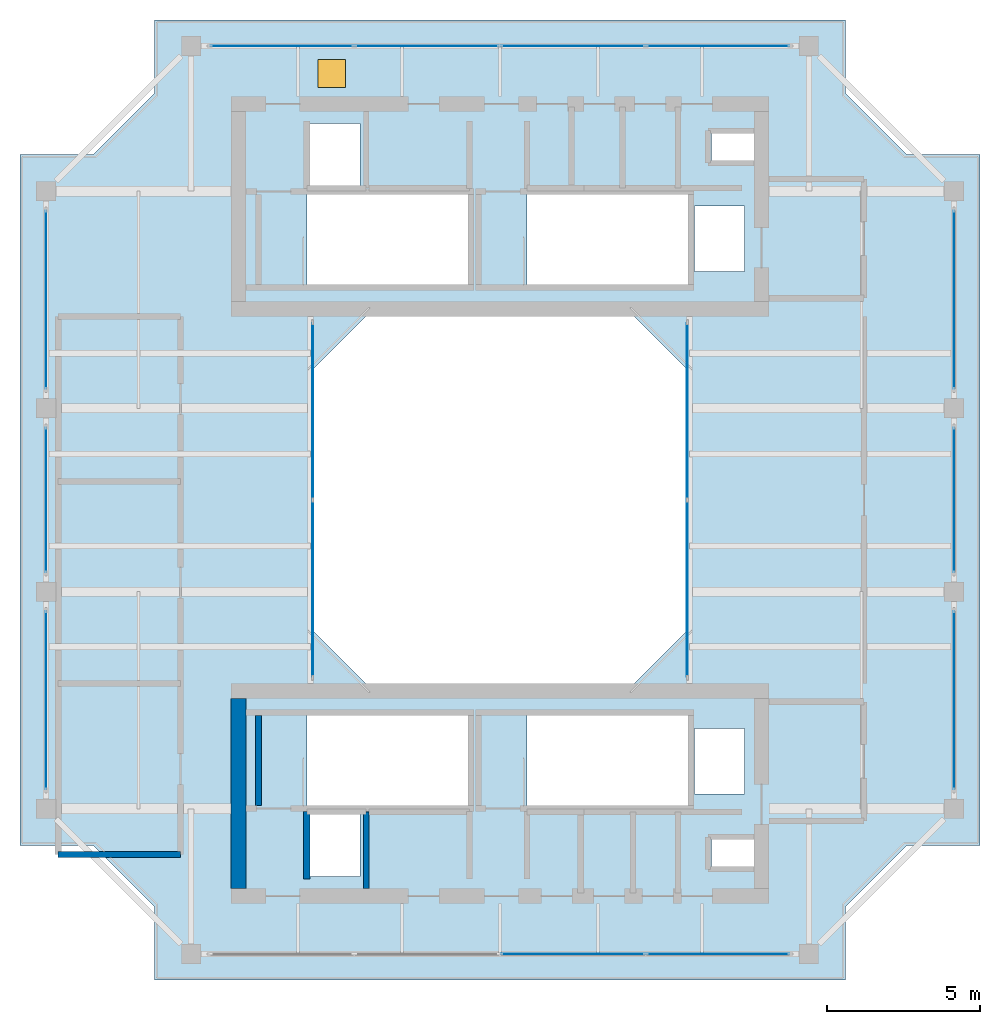
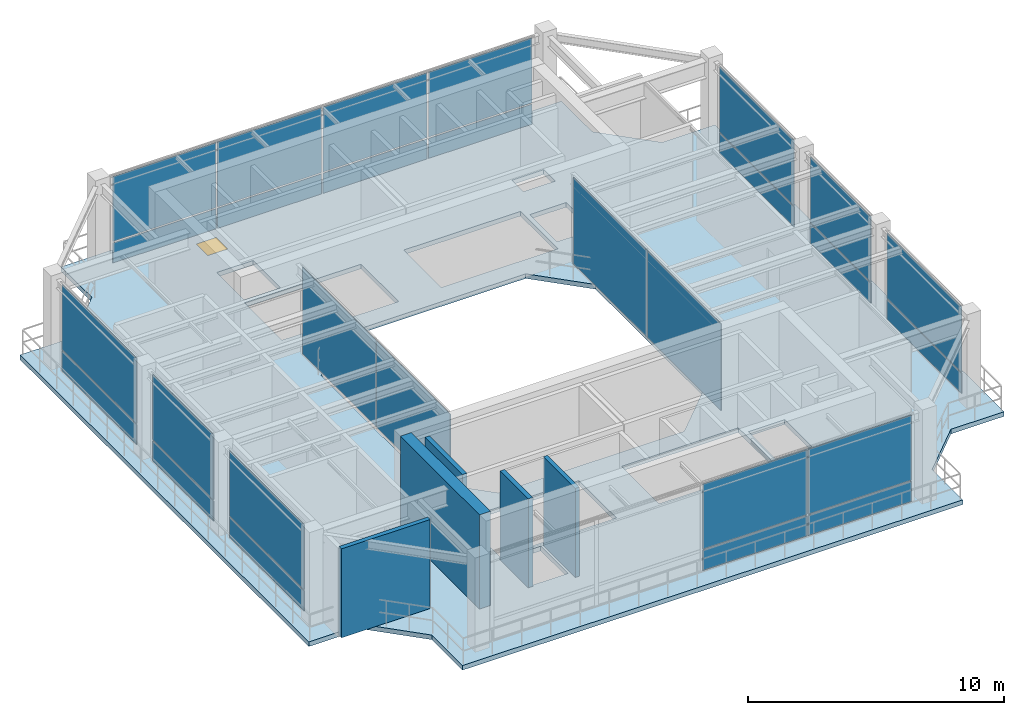
# One storey, part 6 of 9: 28 plates, 5 walls, 1 door, 1 slab, 1 opening, 10 elements without a shape of their own.
"""IFC4 building model written with IfcOpenShell, lengths in metres."""

import ifcopenshell
import ifcopenshell.guid

model = None  # the IFC model being written
_history = None  # IfcOwnerHistory: only IFC2X3 demands one
_inside = {}  # id of a spatial element -> (the spatial element, [elements in it])
_under = {}  # id of a project, library or spatial element -> (it, [spatial elements below it])
_declared = {}  # id of a project -> (the project, [libraries it declares])
_typed = {}  # id of a type object -> (the type object, [elements of that type])
_made_of = {}  # id of a material, layer set ... -> (it, [elements and type objects made of it])


def new_model(schema):
    """Start an empty IFC model of exactly this schema.

    Asked for "IFC4X3", IfcOpenShell would pick the latest addendum, in which some entities
    have other attributes; the version numbers below select the first issue.
    IFC2X3 requires an IfcOwnerHistory on every rooted entity: one is made here for all.
    """
    global model, _history
    if schema == "IFC4X3":
        model = ifcopenshell.file(schema_version=(4, 3, 0, 0))
    else:
        model = ifcopenshell.file(schema=schema)
    _inside.clear()
    _under.clear()
    _declared.clear()
    _typed.clear()
    _made_of.clear()
    _history = None
    if model.schema == "IFC2X3":
        org = make("IfcOrganization", Name="unknown")
        user = make(
            "IfcPersonAndOrganization",
            ThePerson=make("IfcPerson", FamilyName="unknown"),
            TheOrganization=org,
        )
        app = make(
            "IfcApplication",
            ApplicationDeveloper=org,
            Version="unknown",
            ApplicationFullName="unknown",
            ApplicationIdentifier="unknown",
        )
        _history = make(
            "IfcOwnerHistory",
            OwningUser=user,
            OwningApplication=app,
            ChangeAction="ADDED",
            CreationDate=0,
        )
    return model


def make(cls, **values):
    """One entity of the class cls with the attributes given. An attribute that is None is left unset."""
    return model.create_entity(
        cls, **{name: value for name, value in values.items() if value is not None}
    )


def rooted(cls, **values):
    """An entity with a GlobalId (a new one), such as an element, a storey or a relation."""
    return make(cls, GlobalId=ifcopenshell.guid.new(), OwnerHistory=_history, **values)


def si_unit(unit_type, name, prefix=None):
    """IfcSIUnit, for example si_unit("LENGTHUNIT", "METRE", prefix="MILLI")."""
    return make("IfcSIUnit", UnitType=unit_type, Prefix=prefix, Name=name)


def assignment(units):
    """IfcUnitAssignment: the units of a project."""
    return None if units is None else make("IfcUnitAssignment", Units=units)


def point(xyz):
    """IfcCartesianPoint."""
    return None if xyz is None else make("IfcCartesianPoint", Coordinates=xyz)


def direction(xyz):
    """IfcDirection."""
    return None if xyz is None else make("IfcDirection", DirectionRatios=xyz)


def frame(location, z_axis=None, x_axis=None):
    """IfcAxis2Placement3D, a coordinate frame: its origin and axes. An axis left out is left unset."""
    return make(
        "IfcAxis2Placement3D",
        Location=point(location),
        Axis=direction(z_axis),
        RefDirection=direction(x_axis),
    )


def frame_2d(location, x_axis=None):
    """IfcAxis2Placement2D, a coordinate frame in the plane: its origin and x axis."""
    return make(
        "IfcAxis2Placement2D", Location=point(location), RefDirection=direction(x_axis)
    )


def origin():
    """The frame at (0, 0, 0) with its axes left unset."""
    return frame((0.0, 0.0, 0.0))


def origin_2d():
    """The frame at (0, 0) in the plane with its x axis left unset."""
    return frame_2d((0.0, 0.0))


def place(relative_to, where):
    """IfcLocalPlacement: puts the frame where relative to a parent placement (None: the world)."""
    return make(
        "IfcLocalPlacement", PlacementRelTo=relative_to, RelativePlacement=where
    )


def context(
    kind, dimensions, precision=None, world=None, true_north=None, identifier=None
):
    """IfcGeometricRepresentationContext, for example the 3D "Model" context."""
    return make(
        "IfcGeometricRepresentationContext",
        ContextIdentifier=identifier,
        ContextType=kind,
        CoordinateSpaceDimension=dimensions,
        Precision=precision,
        WorldCoordinateSystem=world,
        TrueNorth=true_north,
    )


def subcontext(parent, identifier, kind, view, scale=None):
    """IfcGeometricRepresentationSubContext, for example "Body" below "Model"."""
    return make(
        "IfcGeometricRepresentationSubContext",
        ContextIdentifier=identifier,
        ContextType=kind,
        ParentContext=parent,
        TargetScale=scale,
        TargetView=view,
    )


def project(units=None, contexts=None):
    """IfcProject with its units and contexts."""
    return rooted(
        "IfcProject",
        Name="project",
        RepresentationContexts=contexts,
        UnitsInContext=assignment(units),
    )


def spatial(cls, under=None, at=None, **own):
    """A site, building, storey or space (cls), placed at a placement, below another one or the project."""
    s = rooted(cls, ObjectPlacement=at, **own)
    if under is not None:
        _under.setdefault(under.id(), (under, []))[1].append(s)
    return s


def polyline(points):
    """IfcPolyline through the points."""
    return make("IfcPolyline", Points=[point(p) for p in points])


def profile(cls, at=None, kind="AREA", **sizes):
    """A parametric profile (cls). Its sizes go by their IFC names, for example OverallWidth=200.0."""
    return make(cls, ProfileType=kind, Position=at, **sizes)


def rectangle(**sizes):
    """IfcRectangleProfileDef."""
    return profile("IfcRectangleProfileDef", **sizes)


def outline(outer, holes=None, kind="AREA"):
    """IfcArbitraryClosedProfileDef: a profile drawn as a closed curve; with holes, ...WithVoids."""
    if holes is None:
        return make("IfcArbitraryClosedProfileDef", ProfileType=kind, OuterCurve=outer)
    return make(
        "IfcArbitraryProfileDefWithVoids",
        ProfileType=kind,
        OuterCurve=outer,
        InnerCurves=holes,
    )


def extrude(swept, where, along, depth):
    """IfcExtrudedAreaSolid: the profile swept, set in the frame where, extruded along a direction by depth."""
    return make(
        "IfcExtrudedAreaSolid",
        SweptArea=swept,
        Position=where,
        ExtrudedDirection=direction(along),
        Depth=depth,
    )


def shape(context_of_items, identifier, shape_type, items):
    """IfcShapeRepresentation: the items that make up one representation, for example the "Body"."""
    return make(
        "IfcShapeRepresentation",
        ContextOfItems=context_of_items,
        RepresentationIdentifier=identifier,
        RepresentationType=shape_type,
        Items=items,
    )


def source(mapping_origin, context_of_items, identifier, shape_type, items):
    """IfcRepresentationMap: a shape defined once, which mapped items show again and again."""
    return make(
        "IfcRepresentationMap",
        MappingOrigin=mapping_origin,
        MappedRepresentation=shape(context_of_items, identifier, shape_type, items),
    )


def transform(
    local_origin,
    x_axis=None,
    y_axis=None,
    z_axis=None,
    scale=None,
    scale2=None,
    scale3=None,
    uniform=True,
):
    """IfcCartesianTransformationOperator3D, or its non-uniform kind. x_axis, y_axis, z_axis: its Axis1, 2, 3."""
    if uniform:
        return make(
            "IfcCartesianTransformationOperator3D",
            Axis1=direction(x_axis),
            Axis2=direction(y_axis),
            LocalOrigin=point(local_origin),
            Scale=scale,
            Axis3=direction(z_axis),
        )
    return make(
        "IfcCartesianTransformationOperator3DnonUniform",
        Axis1=direction(x_axis),
        Axis2=direction(y_axis),
        LocalOrigin=point(local_origin),
        Scale=scale,
        Axis3=direction(z_axis),
        Scale2=scale2,
        Scale3=scale3,
    )


def mapped(mapping_source, mapping_target):
    """IfcMappedItem: shows the shape of a source again, moved by a transform."""
    return make(
        "IfcMappedItem", MappingSource=mapping_source, MappingTarget=mapping_target
    )


def material(Name=None, Category=None):
    """IfcMaterial."""
    return make("IfcMaterial", Name=Name, Category=Category)


def layer(
    of_material, thickness, ventilated=None, Name=None, Category=None, Priority=None
):
    """IfcMaterialLayer: one layer of a wall or slab, of a material (None: an air gap)."""
    return make(
        "IfcMaterialLayer",
        Material=of_material,
        LayerThickness=thickness,
        IsVentilated=ventilated,
        Name=Name,
        Category=Category,
        Priority=Priority,
    )


def layer_set(layers, Name=None):
    """IfcMaterialLayerSet."""
    return make("IfcMaterialLayerSet", MaterialLayers=layers, LayerSetName=Name)


def made_of(thing, what):
    """Note that an element or type object is made of a material, layer set ...; save() writes the relation."""
    if what is not None:
        _made_of.setdefault(what.id(), (what, []))[1].append(thing)
    return thing


def type_object(cls, material=None, **own):
    """A type object (cls), such as IfcWallType, which elements share."""
    return made_of(rooted(cls, **own), material)


def element(
    cls,
    number,
    at=None,
    inside=None,
    cuts=None,
    type_object=None,
    material=None,
    context=None,
    identifier="Body",
    shape_type=None,
    held_by="IfcProductDefinitionShape",
    body=None,
    shapes=None,
    **own,
):
    """One element of the class cls, such as IfcWall. Its Tag is "e" and its number.

    at: its placement. inside: the storey or other place that contains it. cuts: it is an
    opening in that element (IfcRelVoidsElement). A single representation is given by context,
    identifier, shape_type and body (its items); several are given by shapes. held_by: the class
    of the entity that holds the representations. save() writes the other relations.
    """
    e = rooted(cls, Tag="e%d" % number, ObjectPlacement=at, **own)
    if body is not None:
        shapes = [shape(context, identifier, shape_type, body)]
    if shapes is not None:
        e.Representation = make(held_by, Representations=shapes)
    if inside is not None:
        _inside.setdefault(inside.id(), (inside, []))[1].append(e)
    if cuts is not None:
        rooted(
            "IfcRelVoidsElement", RelatingBuildingElement=cuts, RelatedOpeningElement=e
        )
    if type_object is not None:
        _typed.setdefault(type_object.id(), (type_object, []))[1].append(e)
    return made_of(e, material)


def fill(opening, filler):
    """IfcRelFillsElement: the door or window that sits in an opening."""
    return rooted(
        "IfcRelFillsElement",
        RelatingOpeningElement=opening,
        RelatedBuildingElement=filler,
    )


def aggregate(whole, parts):
    """IfcRelAggregates: a whole, such as a stair, and the parts it consists of."""
    return rooted("IfcRelAggregates", RelatingObject=whole, RelatedObjects=parts)


def save(model, path):
    """Write the relations noted so far, then the file.

    IfcRelAggregates (storeys below a building ...), IfcRelContainedInSpatialStructure (elements
    in a storey), IfcRelDefinesByType, IfcRelAssociatesMaterial and IfcRelDeclares: one each for
    every whole, place, type object, material and project.
    """
    for whole, parts in _under.values():
        aggregate(whole, parts)
    for where, things in _inside.values():
        rooted(
            "IfcRelContainedInSpatialStructure",
            RelatedElements=things,
            RelatingStructure=where,
        )
    for kind, things in _typed.values():
        rooted("IfcRelDefinesByType", RelatedObjects=things, RelatingType=kind)
    for what, things in _made_of.values():
        rooted("IfcRelAssociatesMaterial", RelatedObjects=things, RelatingMaterial=what)
    for by, libraries in _declared.values():
        rooted("IfcRelDeclares", RelatingContext=by, RelatedDefinitions=libraries)
    model.write(path)


model = new_model("IFC4")

# Units and contexts
model_context = context("Model", 3, precision=1e-05, world=origin(), true_north=direction((0.0, 1.0)))
body_context = subcontext(model_context, "Body", "Model", "MODEL_VIEW")
ifc_project = project(units=[si_unit("LENGTHUNIT", "METRE"), si_unit("AREAUNIT", "SQUARE_METRE"), si_unit("VOLUMEUNIT", "CUBIC_METRE"), si_unit("PLANEANGLEUNIT", "RADIAN"), si_unit("MASSUNIT", "GRAM", prefix="KILO"), si_unit("THERMODYNAMICTEMPERATUREUNIT", "KELVIN"), si_unit("POWERUNIT", "WATT")], contexts=[model_context])

# Site, building, storey
site_placement = place(None, origin())
site = spatial("IfcSite", under=ifc_project, at=site_placement, CompositionType="ELEMENT")
building_placement = place(site_placement, origin())
building = spatial("IfcBuilding", under=site, at=building_placement, Name="Qiaomeng Ring Towers", CompositionType="ELEMENT")
storey_placement = place(building_placement, frame((0.0, 0.0, 263.25)))
storey = spatial("IfcBuildingStorey", under=building, at=storey_placement, Name="L77", CompositionType="ELEMENT", Elevation=263.25)

# Slab, opening, door
ifc_material_1 = material(Name="Concrete C40", Category="concrete")
ifc_layer_1 = layer(ifc_material_1, 0.219970703125, Name="Concrete C40")
ifc_layer_set_1 = layer_set([ifc_layer_1], Name="Concrete C40")
slab_type = type_object("IfcSlabType", Name="STR-SL-220", PredefinedType="FLOOR", material=ifc_layer_set_1)
slab_placement = place(storey_placement, frame((0.0, 0.0, -0.219970703125)))
slab = element("IfcSlab", 1, at=slab_placement, inside=storey, type_object=slab_type, Name="L77 Tower 1 Annular Floor Slab", PredefinedType="FLOOR", context=body_context, shape_type="SweptSolid", body=[
    extrude(outline(polyline([(7.699951171875, 7.300048828125), (30.300048828125, 7.300048828125), (30.300048828125, 9.699951171875), (32.300048828125, 11.699951171875), (34.699951171875, 11.699951171875), (34.699951171875, 34.300048828125), (32.300048828125, 34.300048828125), (30.300048828125, 36.300048828125), (30.300048828125, 38.699951171875), (7.699951171875, 38.699951171875), (7.699951171875, 36.300048828125), (5.699951171875, 34.300048828125), (3.300048828125, 34.300048828125), (3.300048828125, 11.699951171875), (5.699951171875, 11.699951171875), (7.699951171875, 9.699951171875), (7.699951171875, 7.300048828125)]), holes=[polyline([(12.780029296875, 10.679931640625), (12.780029296875, 12.820068359375), (14.419921875, 12.820068359375), (14.419921875, 10.679931640625), (12.780029296875, 10.679931640625)]), polyline([(12.679931640625, 13.010009765625), (12.679931640625, 15.949951171875), (17.949951171875, 15.949951171875), (17.949951171875, 13.010009765625), (12.679931640625, 13.010009765625)]), polyline([(23.199951171875, 29.199951171875), (25.199951171875, 27.199951171875), (25.199951171875, 18.800048828125), (23.199951171875, 16.800048828125), (14.800048828125, 16.800048828125), (12.800048828125, 18.800048828125), (12.800048828125, 27.199951171875), (14.800048828125, 29.199951171875), (23.199951171875, 29.199951171875)]), polyline([(12.679931640625, 32.989990234375), (17.949951171875, 32.989990234375), (17.949951171875, 30.050048828125), (12.679931640625, 30.050048828125), (12.679931640625, 32.989990234375)]), polyline([(19.8798828125, 32.989990234375), (25.14990234375, 32.989990234375), (25.14990234375, 30.050048828125), (19.8798828125, 30.050048828125), (19.8798828125, 32.989990234375)]), polyline([(12.780029296875, 33.179931640625), (12.780029296875, 35.320068359375), (14.419921875, 35.320068359375), (14.419921875, 33.179931640625), (12.780029296875, 33.179931640625)]), polyline([(25.919921875, 11.89990234375), (27.360107421875, 11.89990234375), (27.360107421875, 11.0), (25.919921875, 11.0), (25.919921875, 11.89990234375)]), polyline([(25.360107421875, 15.52001953125), (27.0, 15.52001953125), (27.0, 13.3798828125), (25.360107421875, 13.3798828125), (25.360107421875, 15.52001953125)]), polyline([(19.8798828125, 13.010009765625), (19.8798828125, 15.949951171875), (25.14990234375, 15.949951171875), (25.14990234375, 13.010009765625), (19.8798828125, 13.010009765625)]), polyline([(25.360107421875, 32.6201171875), (27.0, 32.6201171875), (27.0, 30.47998046875), (25.360107421875, 30.47998046875), (25.360107421875, 32.6201171875)]), polyline([(25.919921875, 35.0), (27.360107421875, 35.0), (27.360107421875, 34.10009765625), (25.919921875, 34.10009765625), (25.919921875, 35.0)])]), origin(), (0.0, 0.0, 1.0), 0.219970703125),
])
opening_placement = place(slab_placement, frame((13.5, 36.949951171875, 0.0)))
opening = element("IfcOpeningElement", 2, at=opening_placement, cuts=slab, Name="Opening HT1", PredefinedType="OPENING", context=body_context, shape_type="SweptSolid", body=[
    extrude(rectangle(XDim=0.89990234375, YDim=0.89990234375, at=origin_2d()), frame((0.0, 0.0, -0.010009765625)), (0.0, 0.0, 1.0), 0.239990234375),
])
ifc_material_2 = material(Name="Galvanised steel", Category="steel")
door_type = type_object("IfcDoorType", Name="ARC-DR-TD1", OperationType="NOTDEFINED", PredefinedType="TRAPDOOR", material=ifc_material_2)
door_placement = place(opening_placement, frame((0.0, 0.0, 0.169921875)))
door = element("IfcDoor", 3, at=door_placement, inside=storey, type_object=door_type, Name="L77 Plenum Maintenance Access Hatch HT1", OperationType="SINGLE_SWING_LEFT", OverallHeight=0.89990234375, OverallWidth=0.89990234375, PredefinedType="TRAPDOOR", context=body_context, shape_type="SweptSolid", body=[
    extrude(rectangle(XDim=0.89990234375, YDim=0.89990234375, at=origin_2d()), origin(), (0.0, 0.0, 1.0), 0.050048828125),
])
fill(opening, door)

# Curtain wall, plates
ifc_material_3 = material(Name="Fluorocarbon dark-grey aluminium", Category="aluminium")
ifc_layer_2 = layer(ifc_material_3, 0.139892578125, Name="Fluorocarbon dark-grey aluminium")
ifc_layer_set_2 = layer_set([ifc_layer_2], Name="Fluorocarbon dark-grey aluminium")
curtain_wall_type_1 = type_object("IfcCurtainWallType", Name="ARC-CW-4", PredefinedType="NOTDEFINED", material=ifc_layer_set_2)
curtain_wall_1_placement = place(storey_placement, origin())
curtain_wall_1 = element("IfcCurtainWall", 4, at=curtain_wall_1_placement, inside=storey, type_object=curtain_wall_type_1, Name="L77 Curtain Wall CW4", PredefinedType="NOTDEFINED")
ifc_material_4 = material(Name="Low-E dark-grey laminated double glazing", Category="glass")
ifc_layer_3 = layer(ifc_material_4, 0.028076171875, Name="Low-E dark-grey laminated double glazing")
ifc_layer_set_3 = layer_set([ifc_layer_3], Name="Low-E dark-grey laminated double glazing")
plate_type = type_object("IfcPlateType", Name="ARC-CWP-DARK", PredefinedType="CURTAIN_PANEL", material=ifc_layer_set_3)
shared_shape_1 = source(origin(), body_context, "Body", "SweptSolid", [
    extrude(rectangle(XDim=5.75244140625, YDim=0.028076171875, at=origin_2d()), origin(), (0.0, 0.0, 1.0), 4.1201171875),
])
plate_1_placement = place(storey_placement, frame((12.8798828125, 20.09130859375, 0.06494140625), z_axis=(0.0, 0.0, 1.0), x_axis=(0.0, 1.0, 0.0)))
plate_1 = element("IfcPlate", 5, at=plate_1_placement, type_object=plate_type, Name="CW4 panel 1.1", PredefinedType="CURTAIN_PANEL", context=body_context, shape_type="MappedRepresentation", body=[
    mapped(shared_shape_1, transform((0.0, 0.0, 0.0), x_axis=(1.0, 0.0, 0.0), y_axis=(0.0, 1.0, 0.0), z_axis=(0.0, 0.0, 1.0), scale=1.0)),
])
plate_2_placement = place(storey_placement, frame((12.8798828125, 25.90869140625, 0.06494140625), z_axis=(0.0, 0.0, 1.0), x_axis=(0.0, 1.0, 0.0)))
plate_2 = element("IfcPlate", 6, at=plate_2_placement, type_object=plate_type, Name="CW4 panel 2.1", PredefinedType="CURTAIN_PANEL", context=body_context, shape_type="MappedRepresentation", body=[
    mapped(shared_shape_1, transform((0.0, 0.0, 0.0), x_axis=(1.0, 0.0, 0.0), y_axis=(0.0, 1.0, 0.0), z_axis=(0.0, 0.0, 1.0), scale=1.0)),
])
aggregate(curtain_wall_1, [plate_1, plate_2])

curtain_wall_2_placement = place(storey_placement, origin())
curtain_wall_2 = element("IfcCurtainWall", 7, at=curtain_wall_2_placement, inside=storey, type_object=curtain_wall_type_1, Name="L77 Curtain Wall CW4", PredefinedType="NOTDEFINED")
plate_3_placement = place(storey_placement, frame((25.1201171875, 20.09130859375, 0.06494140625), z_axis=(0.0, 0.0, 1.0), x_axis=(0.0, 1.0, 0.0)))
plate_3 = element("IfcPlate", 8, at=plate_3_placement, type_object=plate_type, Name="CW4 panel 1.1", PredefinedType="CURTAIN_PANEL", context=body_context, shape_type="MappedRepresentation", body=[
    mapped(shared_shape_1, transform((0.0, 0.0, 0.0), x_axis=(1.0, 0.0, 0.0), y_axis=(0.0, 1.0, 0.0), z_axis=(0.0, 0.0, 1.0), scale=1.0)),
])
plate_4_placement = place(storey_placement, frame((25.1201171875, 25.90869140625, 0.06494140625), z_axis=(0.0, 0.0, 1.0), x_axis=(0.0, 1.0, 0.0)))
plate_4 = element("IfcPlate", 9, at=plate_4_placement, type_object=plate_type, Name="CW4 panel 2.1", PredefinedType="CURTAIN_PANEL", context=body_context, shape_type="MappedRepresentation", body=[
    mapped(shared_shape_1, transform((0.0, 0.0, 0.0), x_axis=(1.0, 0.0, 0.0), y_axis=(0.0, 1.0, 0.0), z_axis=(0.0, 0.0, 1.0), scale=1.0)),
])
aggregate(curtain_wall_2, [plate_3, plate_4])

# Curtain wall, plate
ifc_layer_4 = layer(ifc_material_3, 0.169921875, Name="Fluorocarbon dark-grey aluminium")
ifc_layer_set_4 = layer_set([ifc_layer_4], Name="Fluorocarbon dark-grey aluminium")
curtain_wall_type_2 = type_object("IfcCurtainWallType", Name="ARC-CW-6", PredefinedType="NOTDEFINED", material=ifc_layer_set_4)
curtain_wall_3_placement = place(storey_placement, origin())
curtain_wall_3 = element("IfcCurtainWall", 10, at=curtain_wall_3_placement, inside=storey, type_object=curtain_wall_type_2, Name="L77 Curtain Wall CW6", PredefinedType="NOTDEFINED")
shared_shape_2 = source(origin(), body_context, "Body", "SweptSolid", [
    extrude(rectangle(XDim=4.66259765625, YDim=0.028076171875, at=origin_2d()), origin(), (0.0, 0.0, 1.0), 0.952392578125),
])
plate_5_placement = place(storey_placement, frame((26.1337890625, 8.14990234375, 0.06494140625), z_axis=(0.0, 0.0, 1.0), x_axis=(1.0, 0.0, 0.0)))
plate_5 = element("IfcPlate", 11, at=plate_5_placement, type_object=plate_type, Name="CW6 panel 4.1", PredefinedType="CURTAIN_PANEL", context=body_context, shape_type="MappedRepresentation", body=[
    mapped(shared_shape_2, transform((0.0, 0.0, 0.0), x_axis=(1.0, 0.0, 0.0), y_axis=(0.0, 1.0, 0.0), z_axis=(0.0, 0.0, 1.0), scale=1.0)),
])

# Curtain wall, plates
curtain_wall_4_placement = place(storey_placement, origin())
curtain_wall_4 = element("IfcCurtainWall", 12, at=curtain_wall_4_placement, inside=storey, type_object=curtain_wall_type_2, Name="L77 Curtain Wall CW6", PredefinedType="NOTDEFINED")
plate_6_placement = place(storey_placement, frame((26.1337890625, 37.85009765625, 0.06494140625), z_axis=(0.0, 0.0, 1.0), x_axis=(-1.0, 0.0, 0.0)))
plate_6 = element("IfcPlate", 13, at=plate_6_placement, type_object=plate_type, Name="CW6 panel 1.1", PredefinedType="CURTAIN_PANEL", context=body_context, shape_type="MappedRepresentation", body=[
    mapped(shared_shape_2, transform((0.0, 0.0, 0.0), x_axis=(1.0, 0.0, 0.0), y_axis=(0.0, 1.0, 0.0), z_axis=(0.0, 0.0, 1.0), scale=1.0)),
])
plate_7_placement = place(storey_placement, frame((11.8662109375, 37.85009765625, 0.06494140625), z_axis=(0.0, 0.0, 1.0), x_axis=(-1.0, 0.0, 0.0)))
plate_7 = element("IfcPlate", 14, at=plate_7_placement, type_object=plate_type, Name="CW6 panel 4.1", PredefinedType="CURTAIN_PANEL", context=body_context, shape_type="MappedRepresentation", body=[
    mapped(shared_shape_2, transform((0.0, 0.0, 0.0), x_axis=(1.0, 0.0, 0.0), y_axis=(0.0, 1.0, 0.0), z_axis=(0.0, 0.0, 1.0), scale=1.0)),
])

# Plate
shared_shape_3 = source(origin(), body_context, "Body", "SweptSolid", [
    extrude(rectangle(XDim=4.66259765625, YDim=0.028076171875, at=origin_2d()), origin(), (0.0, 0.0, 1.0), 3.1025390625),
])
plate_8_placement = place(storey_placement, frame((26.1337890625, 8.14990234375, 1.08251953125), z_axis=(0.0, 0.0, 1.0), x_axis=(1.0, 0.0, 0.0)))
plate_8 = element("IfcPlate", 15, at=plate_8_placement, type_object=plate_type, Name="CW6 panel 4.2", PredefinedType="CURTAIN_PANEL", context=body_context, shape_type="MappedRepresentation", body=[
    mapped(shared_shape_3, transform((0.0, 0.0, 0.0), x_axis=(1.0, 0.0, 0.0), y_axis=(0.0, 1.0, 0.0), z_axis=(0.0, 0.0, 1.0), scale=1.0)),
])

plate_9_placement = place(storey_placement, frame((26.1337890625, 37.85009765625, 1.08251953125), z_axis=(0.0, 0.0, 1.0), x_axis=(-1.0, 0.0, 0.0)))
plate_9 = element("IfcPlate", 16, at=plate_9_placement, type_object=plate_type, Name="CW6 panel 1.2", PredefinedType="CURTAIN_PANEL", context=body_context, shape_type="MappedRepresentation", body=[
    mapped(shared_shape_3, transform((0.0, 0.0, 0.0), x_axis=(1.0, 0.0, 0.0), y_axis=(0.0, 1.0, 0.0), z_axis=(0.0, 0.0, 1.0), scale=1.0)),
])

plate_10_placement = place(storey_placement, frame((11.8662109375, 37.85009765625, 1.08251953125), z_axis=(0.0, 0.0, 1.0), x_axis=(-1.0, 0.0, 0.0)))
plate_10 = element("IfcPlate", 17, at=plate_10_placement, type_object=plate_type, Name="CW6 panel 4.2", PredefinedType="CURTAIN_PANEL", context=body_context, shape_type="MappedRepresentation", body=[
    mapped(shared_shape_3, transform((0.0, 0.0, 0.0), x_axis=(1.0, 0.0, 0.0), y_axis=(0.0, 1.0, 0.0), z_axis=(0.0, 0.0, 1.0), scale=1.0)),
])

shared_shape_4 = source(origin(), body_context, "Body", "SweptSolid", [
    extrude(rectangle(XDim=4.697509765625, YDim=0.028076171875, at=origin_2d()), origin(), (0.0, 0.0, 1.0), 0.952392578125),
])
plate_11_placement = place(storey_placement, frame((21.3837890625, 8.14990234375, 0.06494140625), z_axis=(0.0, 0.0, 1.0), x_axis=(1.0, 0.0, 0.0)))
plate_11 = element("IfcPlate", 18, at=plate_11_placement, type_object=plate_type, Name="CW6 panel 3.1", PredefinedType="CURTAIN_PANEL", context=body_context, shape_type="MappedRepresentation", body=[
    mapped(shared_shape_4, transform((0.0, 0.0, 0.0), x_axis=(1.0, 0.0, 0.0), y_axis=(0.0, 1.0, 0.0), z_axis=(0.0, 0.0, 1.0), scale=1.0)),
])

plate_12_placement = place(storey_placement, frame((21.3837890625, 37.85009765625, 0.06494140625), z_axis=(0.0, 0.0, 1.0), x_axis=(-1.0, 0.0, 0.0)))
plate_12 = element("IfcPlate", 19, at=plate_12_placement, type_object=plate_type, Name="CW6 panel 2.1", PredefinedType="CURTAIN_PANEL", context=body_context, shape_type="MappedRepresentation", body=[
    mapped(shared_shape_4, transform((0.0, 0.0, 0.0), x_axis=(1.0, 0.0, 0.0), y_axis=(0.0, 1.0, 0.0), z_axis=(0.0, 0.0, 1.0), scale=1.0)),
])

plate_13_placement = place(storey_placement, frame((16.6162109375, 37.85009765625, 0.06494140625), z_axis=(0.0, 0.0, 1.0), x_axis=(-1.0, 0.0, 0.0)))
plate_13 = element("IfcPlate", 20, at=plate_13_placement, type_object=plate_type, Name="CW6 panel 3.1", PredefinedType="CURTAIN_PANEL", context=body_context, shape_type="MappedRepresentation", body=[
    mapped(shared_shape_4, transform((0.0, 0.0, 0.0), x_axis=(1.0, 0.0, 0.0), y_axis=(0.0, 1.0, 0.0), z_axis=(0.0, 0.0, 1.0), scale=1.0)),
])

shared_shape_5 = source(origin(), body_context, "Body", "SweptSolid", [
    extrude(rectangle(XDim=4.697509765625, YDim=0.028076171875, at=origin_2d()), origin(), (0.0, 0.0, 1.0), 3.1025390625),
])
plate_14_placement = place(storey_placement, frame((21.3837890625, 8.14990234375, 1.08251953125), z_axis=(0.0, 0.0, 1.0), x_axis=(1.0, 0.0, 0.0)))
plate_14 = element("IfcPlate", 21, at=plate_14_placement, type_object=plate_type, Name="CW6 panel 3.2", PredefinedType="CURTAIN_PANEL", context=body_context, shape_type="MappedRepresentation", body=[
    mapped(shared_shape_5, transform((0.0, 0.0, 0.0), x_axis=(1.0, 0.0, 0.0), y_axis=(0.0, 1.0, 0.0), z_axis=(0.0, 0.0, 1.0), scale=1.0)),
])

aggregate(curtain_wall_3, [plate_11, plate_14, plate_5, plate_8])

plate_15_placement = place(storey_placement, frame((21.3837890625, 37.85009765625, 1.08251953125), z_axis=(0.0, 0.0, 1.0), x_axis=(-1.0, 0.0, 0.0)))
plate_15 = element("IfcPlate", 22, at=plate_15_placement, type_object=plate_type, Name="CW6 panel 2.2", PredefinedType="CURTAIN_PANEL", context=body_context, shape_type="MappedRepresentation", body=[
    mapped(shared_shape_5, transform((0.0, 0.0, 0.0), x_axis=(1.0, 0.0, 0.0), y_axis=(0.0, 1.0, 0.0), z_axis=(0.0, 0.0, 1.0), scale=1.0)),
])

plate_16_placement = place(storey_placement, frame((16.6162109375, 37.85009765625, 1.08251953125), z_axis=(0.0, 0.0, 1.0), x_axis=(-1.0, 0.0, 0.0)))
plate_16 = element("IfcPlate", 23, at=plate_16_placement, type_object=plate_type, Name="CW6 panel 3.2", PredefinedType="CURTAIN_PANEL", context=body_context, shape_type="MappedRepresentation", body=[
    mapped(shared_shape_5, transform((0.0, 0.0, 0.0), x_axis=(1.0, 0.0, 0.0), y_axis=(0.0, 1.0, 0.0), z_axis=(0.0, 0.0, 1.0), scale=1.0)),
])

aggregate(curtain_wall_4, [plate_6, plate_9, plate_12, plate_15, plate_13, plate_16, plate_7, plate_10])

# Curtain wall, plate
curtain_wall_5_placement = place(storey_placement, origin())
curtain_wall_5 = element("IfcCurtainWall", 24, at=curtain_wall_5_placement, inside=storey, type_object=curtain_wall_type_2, Name="L77 Curtain Wall CW6", PredefinedType="NOTDEFINED")
shared_shape_6 = source(origin(), body_context, "Body", "SweptSolid", [
    extrude(rectangle(XDim=5.830078125, YDim=0.028076171875, at=origin_2d()), origin(), (0.0, 0.0, 1.0), 0.952392578125),
])
plate_17_placement = place(storey_placement, frame((4.14990234375, 29.550048828125, 0.06494140625), z_axis=(0.0, 0.0, 1.0), x_axis=(0.0, -1.0, 0.0)))
plate_17 = element("IfcPlate", 25, at=plate_17_placement, type_object=plate_type, Name="CW6 panel 1.1", PredefinedType="CURTAIN_PANEL", context=body_context, shape_type="MappedRepresentation", body=[
    mapped(shared_shape_6, transform((0.0, 0.0, 0.0), x_axis=(1.0, 0.0, 0.0), y_axis=(0.0, 1.0, 0.0), z_axis=(0.0, 0.0, 1.0), scale=1.0)),
])

curtain_wall_6_placement = place(storey_placement, origin())
curtain_wall_6 = element("IfcCurtainWall", 26, at=curtain_wall_6_placement, inside=storey, type_object=curtain_wall_type_2, Name="L77 Curtain Wall CW6", PredefinedType="NOTDEFINED")
plate_18_placement = place(storey_placement, frame((4.14990234375, 16.449951171875, 0.06494140625), z_axis=(0.0, 0.0, 1.0), x_axis=(0.0, -1.0, 0.0)))
plate_18 = element("IfcPlate", 27, at=plate_18_placement, type_object=plate_type, Name="CW6 panel 1.1", PredefinedType="CURTAIN_PANEL", context=body_context, shape_type="MappedRepresentation", body=[
    mapped(shared_shape_6, transform((0.0, 0.0, 0.0), x_axis=(1.0, 0.0, 0.0), y_axis=(0.0, 1.0, 0.0), z_axis=(0.0, 0.0, 1.0), scale=1.0)),
])

curtain_wall_7_placement = place(storey_placement, origin())
curtain_wall_7 = element("IfcCurtainWall", 28, at=curtain_wall_7_placement, inside=storey, type_object=curtain_wall_type_2, Name="L77 Curtain Wall CW6", PredefinedType="NOTDEFINED")
plate_19_placement = place(storey_placement, frame((33.85009765625, 16.449951171875, 0.06494140625), z_axis=(0.0, 0.0, 1.0), x_axis=(0.0, 1.0, 0.0)))
plate_19 = element("IfcPlate", 29, at=plate_19_placement, type_object=plate_type, Name="CW6 panel 1.1", PredefinedType="CURTAIN_PANEL", context=body_context, shape_type="MappedRepresentation", body=[
    mapped(shared_shape_6, transform((0.0, 0.0, 0.0), x_axis=(1.0, 0.0, 0.0), y_axis=(0.0, 1.0, 0.0), z_axis=(0.0, 0.0, 1.0), scale=1.0)),
])

curtain_wall_8_placement = place(storey_placement, origin())
curtain_wall_8 = element("IfcCurtainWall", 30, at=curtain_wall_8_placement, inside=storey, type_object=curtain_wall_type_2, Name="L77 Curtain Wall CW6", PredefinedType="NOTDEFINED")
plate_20_placement = place(storey_placement, frame((33.85009765625, 29.550048828125, 0.06494140625), z_axis=(0.0, 0.0, 1.0), x_axis=(0.0, 1.0, 0.0)))
plate_20 = element("IfcPlate", 31, at=plate_20_placement, type_object=plate_type, Name="CW6 panel 1.1", PredefinedType="CURTAIN_PANEL", context=body_context, shape_type="MappedRepresentation", body=[
    mapped(shared_shape_6, transform((0.0, 0.0, 0.0), x_axis=(1.0, 0.0, 0.0), y_axis=(0.0, 1.0, 0.0), z_axis=(0.0, 0.0, 1.0), scale=1.0)),
])

# Plate
shared_shape_7 = source(origin(), body_context, "Body", "SweptSolid", [
    extrude(rectangle(XDim=5.830078125, YDim=0.028076171875, at=origin_2d()), origin(), (0.0, 0.0, 1.0), 3.1025390625),
])
plate_21_placement = place(storey_placement, frame((4.14990234375, 29.550048828125, 1.08251953125), z_axis=(0.0, 0.0, 1.0), x_axis=(0.0, -1.0, 0.0)))
plate_21 = element("IfcPlate", 32, at=plate_21_placement, type_object=plate_type, Name="CW6 panel 1.2", PredefinedType="CURTAIN_PANEL", context=body_context, shape_type="MappedRepresentation", body=[
    mapped(shared_shape_7, transform((0.0, 0.0, 0.0), x_axis=(1.0, 0.0, 0.0), y_axis=(0.0, 1.0, 0.0), z_axis=(0.0, 0.0, 1.0), scale=1.0)),
])

aggregate(curtain_wall_5, [plate_17, plate_21])

plate_22_placement = place(storey_placement, frame((4.14990234375, 16.449951171875, 1.08251953125), z_axis=(0.0, 0.0, 1.0), x_axis=(0.0, -1.0, 0.0)))
plate_22 = element("IfcPlate", 33, at=plate_22_placement, type_object=plate_type, Name="CW6 panel 1.2", PredefinedType="CURTAIN_PANEL", context=body_context, shape_type="MappedRepresentation", body=[
    mapped(shared_shape_7, transform((0.0, 0.0, 0.0), x_axis=(1.0, 0.0, 0.0), y_axis=(0.0, 1.0, 0.0), z_axis=(0.0, 0.0, 1.0), scale=1.0)),
])

aggregate(curtain_wall_6, [plate_18, plate_22])

plate_23_placement = place(storey_placement, frame((33.85009765625, 16.449951171875, 1.08251953125), z_axis=(0.0, 0.0, 1.0), x_axis=(0.0, 1.0, 0.0)))
plate_23 = element("IfcPlate", 34, at=plate_23_placement, type_object=plate_type, Name="CW6 panel 1.2", PredefinedType="CURTAIN_PANEL", context=body_context, shape_type="MappedRepresentation", body=[
    mapped(shared_shape_7, transform((0.0, 0.0, 0.0), x_axis=(1.0, 0.0, 0.0), y_axis=(0.0, 1.0, 0.0), z_axis=(0.0, 0.0, 1.0), scale=1.0)),
])

aggregate(curtain_wall_7, [plate_19, plate_23])

plate_24_placement = place(storey_placement, frame((33.85009765625, 29.550048828125, 1.08251953125), z_axis=(0.0, 0.0, 1.0), x_axis=(0.0, 1.0, 0.0)))
plate_24 = element("IfcPlate", 35, at=plate_24_placement, type_object=plate_type, Name="CW6 panel 1.2", PredefinedType="CURTAIN_PANEL", context=body_context, shape_type="MappedRepresentation", body=[
    mapped(shared_shape_7, transform((0.0, 0.0, 0.0), x_axis=(1.0, 0.0, 0.0), y_axis=(0.0, 1.0, 0.0), z_axis=(0.0, 0.0, 1.0), scale=1.0)),
])

aggregate(curtain_wall_8, [plate_20, plate_24])

# Curtain wall, plate
curtain_wall_9_placement = place(storey_placement, origin())
curtain_wall_9 = element("IfcCurtainWall", 36, at=curtain_wall_9_placement, inside=storey, type_object=curtain_wall_type_2, Name="L77 Curtain Wall CW6", PredefinedType="NOTDEFINED")
shared_shape_8 = source(origin(), body_context, "Body", "SweptSolid", [
    extrude(rectangle(XDim=4.72998046875, YDim=0.028076171875, at=origin_2d()), origin(), (0.0, 0.0, 1.0), 0.952392578125),
])
plate_25_placement = place(storey_placement, frame((4.14990234375, 23.0, 0.06494140625), z_axis=(0.0, 0.0, 1.0), x_axis=(0.0, -1.0, 0.0)))
plate_25 = element("IfcPlate", 37, at=plate_25_placement, type_object=plate_type, Name="CW6 panel 1.1", PredefinedType="CURTAIN_PANEL", context=body_context, shape_type="MappedRepresentation", body=[
    mapped(shared_shape_8, transform((0.0, 0.0, 0.0), x_axis=(1.0, 0.0, 0.0), y_axis=(0.0, 1.0, 0.0), z_axis=(0.0, 0.0, 1.0), scale=1.0)),
])

curtain_wall_10_placement = place(storey_placement, origin())
curtain_wall_10 = element("IfcCurtainWall", 38, at=curtain_wall_10_placement, inside=storey, type_object=curtain_wall_type_2, Name="L77 Curtain Wall CW6", PredefinedType="NOTDEFINED")
plate_26_placement = place(storey_placement, frame((33.85009765625, 23.0, 0.06494140625), z_axis=(0.0, 0.0, 1.0), x_axis=(0.0, 1.0, 0.0)))
plate_26 = element("IfcPlate", 39, at=plate_26_placement, type_object=plate_type, Name="CW6 panel 1.1", PredefinedType="CURTAIN_PANEL", context=body_context, shape_type="MappedRepresentation", body=[
    mapped(shared_shape_8, transform((0.0, 0.0, 0.0), x_axis=(1.0, 0.0, 0.0), y_axis=(0.0, 1.0, 0.0), z_axis=(0.0, 0.0, 1.0), scale=1.0)),
])

# Plate
shared_shape_9 = source(origin(), body_context, "Body", "SweptSolid", [
    extrude(rectangle(XDim=4.72998046875, YDim=0.028076171875, at=origin_2d()), origin(), (0.0, 0.0, 1.0), 3.1025390625),
])
plate_27_placement = place(storey_placement, frame((4.14990234375, 23.0, 1.08251953125), z_axis=(0.0, 0.0, 1.0), x_axis=(0.0, -1.0, 0.0)))
plate_27 = element("IfcPlate", 40, at=plate_27_placement, type_object=plate_type, Name="CW6 panel 1.2", PredefinedType="CURTAIN_PANEL", context=body_context, shape_type="MappedRepresentation", body=[
    mapped(shared_shape_9, transform((0.0, 0.0, 0.0), x_axis=(1.0, 0.0, 0.0), y_axis=(0.0, 1.0, 0.0), z_axis=(0.0, 0.0, 1.0), scale=1.0)),
])

aggregate(curtain_wall_9, [plate_25, plate_27])

plate_28_placement = place(storey_placement, frame((33.85009765625, 23.0, 1.08251953125), z_axis=(0.0, 0.0, 1.0), x_axis=(0.0, 1.0, 0.0)))
plate_28 = element("IfcPlate", 41, at=plate_28_placement, type_object=plate_type, Name="CW6 panel 1.2", PredefinedType="CURTAIN_PANEL", context=body_context, shape_type="MappedRepresentation", body=[
    mapped(shared_shape_9, transform((0.0, 0.0, 0.0), x_axis=(1.0, 0.0, 0.0), y_axis=(0.0, 1.0, 0.0), z_axis=(0.0, 0.0, 1.0), scale=1.0)),
])

aggregate(curtain_wall_10, [plate_26, plate_28])

# Walls
ifc_material_5 = material(Name="Autoclaved aerated concrete block", Category="concrete")
ifc_layer_5 = layer(ifc_material_5, 0.199951171875, Name="Autoclaved aerated concrete block")
ifc_layer_set_5 = layer_set([ifc_layer_5], Name="Autoclaved aerated concrete block")
wall_type_1 = type_object("IfcWallType", Name="ARC-WL-PW1", PredefinedType="PARTITIONING", material=ifc_layer_set_5)
wall_1_placement = place(storey_placement, frame((12.679931640625, 10.60009765625, 0.0), z_axis=(0.0, 0.0, 1.0), x_axis=(0.0, 1.0, 0.0)))
element("IfcWall", 42, at=wall_1_placement, inside=storey, type_object=wall_type_1, Name="L77 Interior Wall PW1", PredefinedType="PARTITIONING", context=body_context, shape_type="SweptSolid", body=[
    extrude(rectangle(XDim=2.2099609375, YDim=0.199951171875, at=frame_2d((1.10498046875, 0.0))), origin(), (0.0, 0.0, 1.0), 4.25),
])
wall_2_placement = place(storey_placement, frame((4.550048828125, 11.39990234375, 0.0), z_axis=(0.0, 0.0, 1.0), x_axis=(1.0, 0.0, 0.0)))
element("IfcWall", 43, at=wall_2_placement, inside=storey, type_object=wall_type_1, Name="L77 Interior Wall PW1", PredefinedType="PARTITIONING", context=body_context, shape_type="SweptSolid", body=[
    extrude(rectangle(XDim=4.0, YDim=0.199951171875, at=frame_2d((2.0, 0.0))), origin(), (0.0, 0.0, 1.0), 4.25),
])
ifc_layer_6 = layer(ifc_material_1, 0.199951171875, Name="Concrete C40")
ifc_layer_set_6 = layer_set([ifc_layer_6], Name="Concrete C40")
wall_type_2 = type_object("IfcWallType", Name="STR-WL-STSHAFT", PredefinedType="SHEAR", material=ifc_layer_set_6)
wall_3_placement = place(storey_placement, frame((14.6201171875, 10.300048828125, 0.0), z_axis=(0.0, 0.0, 1.0), x_axis=(0.0, 1.0, 0.0)))
element("IfcWall", 44, at=wall_3_placement, inside=storey, type_object=wall_type_2, Name="L77 Lift LP6-LP4 Shaft Divider Wall", PredefinedType="SHEAR", context=body_context, shape_type="SweptSolid", body=[
    extrude(rectangle(XDim=2.5, YDim=0.179931640625, at=frame_2d((1.25, 0.0))), origin(), (0.0, 0.0, 1.0), 4.25),
])
wall_4_placement = place(storey_placement, frame((11.10009765625, 13.010009765625, 0.0), z_axis=(0.0, 0.0, 1.0), x_axis=(0.0, 1.0, 0.0)))
element("IfcWall", 45, at=wall_4_placement, inside=storey, type_object=wall_type_2, Name="L77 Stair ST3 West Shaft Shear Wall", PredefinedType="SHEAR", context=body_context, shape_type="SweptSolid", body=[
    extrude(rectangle(XDim=2.93994140625, YDim=0.199951171875, at=frame_2d((1.469970703125, 0.0))), origin(), (0.0, 0.0, 1.0), 4.5),
])
ifc_layer_7 = layer(ifc_material_1, 0.5, Name="Concrete C40")
ifc_layer_set_7 = layer_set([ifc_layer_7], Name="Concrete C40")
wall_type_3 = type_object("IfcWallType", Name="STR-WL-SW3", PredefinedType="SHEAR", material=ifc_layer_set_7)
wall_5_placement = place(storey_placement, frame((10.449951171875, 10.300048828125, 0.0), z_axis=(0.0, 0.0, 1.0), x_axis=(0.0, 1.0, 0.0)))
element("IfcWall", 46, at=wall_5_placement, inside=storey, type_object=wall_type_3, Name="L77 T1SC west core shear wall", PredefinedType="SHEAR", context=body_context, shape_type="SweptSolid", body=[
    extrude(rectangle(XDim=6.199951171875, YDim=0.5, at=frame_2d((3.10009765625, 0.0))), origin(), (0.0, 0.0, 1.0), 4.5),
])

save(model, "model.ifc")
